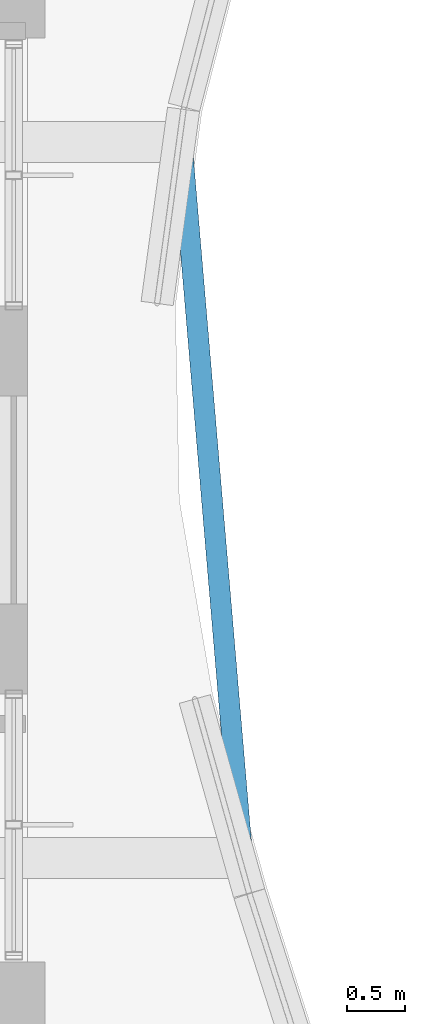
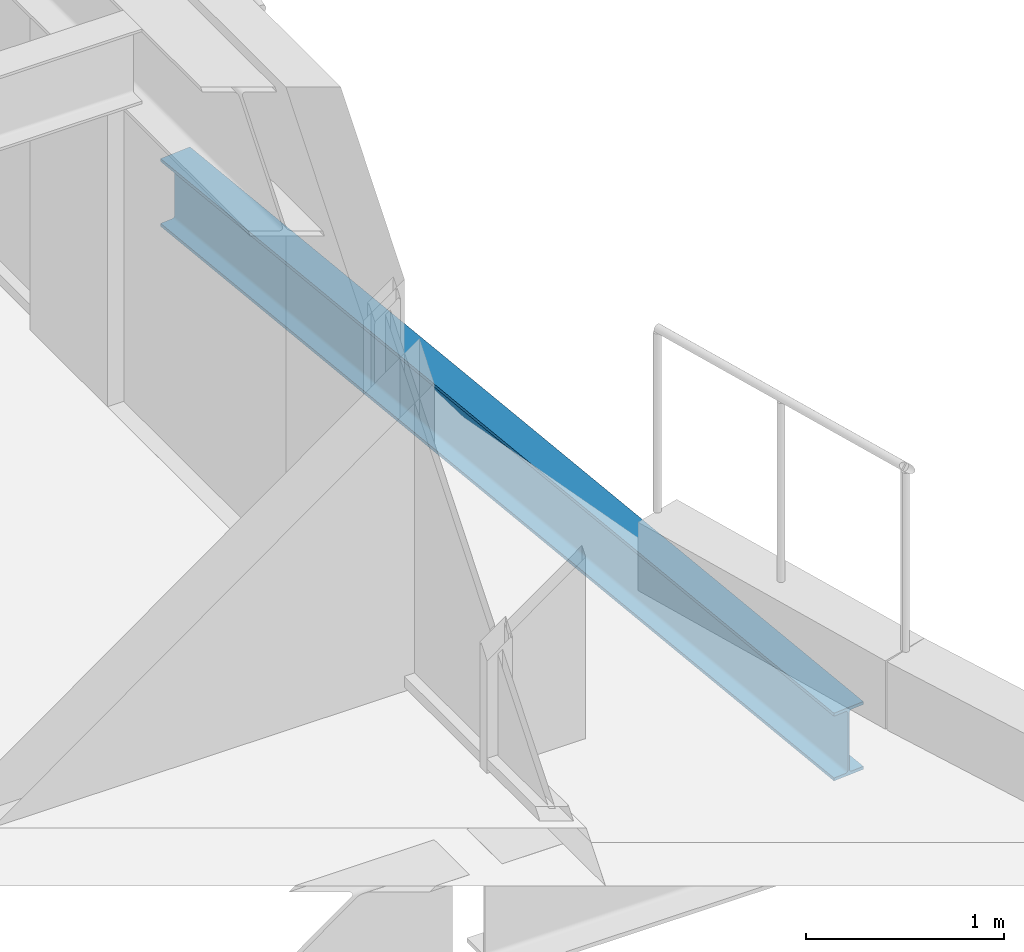
# One storey, part 18 of 39: 1 beam.
"""IFC4 building model written with IfcOpenShell, lengths in metres."""

from ifc_helpers import new_model, si_unit, direction, frame, origin, origin_2d, place, context, subcontext, project, spatial, i_section, extrude, material, material_profile, profile_set, type_object, element, save


model = new_model("IFC4")

# Units and contexts
model_context = context("Model", 3, precision=1e-05, world=origin(), true_north=direction((0.0, 1.0)))
body_context = subcontext(model_context, "Body", "Model", "MODEL_VIEW")
ifc_project = project(units=[si_unit("LENGTHUNIT", "METRE"), si_unit("AREAUNIT", "SQUARE_METRE"), si_unit("VOLUMEUNIT", "CUBIC_METRE"), si_unit("PLANEANGLEUNIT", "RADIAN"), si_unit("MASSUNIT", "GRAM", prefix="KILO")], contexts=[model_context])

# Site, building, storey
site_placement = place(None, origin())
site = spatial("IfcSite", under=ifc_project, at=site_placement, CompositionType="ELEMENT")
building_placement = place(site_placement, origin())
building = spatial("IfcBuilding", under=site, at=building_placement, Name="Kolvaren Belvedere", CompositionType="ELEMENT")
storey_placement = place(building_placement, frame((0.0, 0.0, 33.699951171875)))
storey = spatial("IfcBuildingStorey", under=building, at=storey_placement, Name="L09", CompositionType="ELEMENT", Elevation=33.699951171875)

# Beam
ifc_material = material(Name="Structural steel ASTM A992 Grade 50", Category="steel")
ifc_material_profile = material_profile(ifc_material, i_section(OverallWidth=0.180908203125, OverallDepth=0.4169921875, WebThickness=0.010986328125, FlangeThickness=0.018310546875, FilletRadius=0.013916015625, at=origin_2d()), Name="W16X57")
ifc_profile_set = profile_set([ifc_material_profile], Name="Structural steel ASTM A992 Grade 50")
beam_type = type_object("IfcBeamType", Name="BM-EDGE-W16X57", PredefinedType="BEAM", material=ifc_profile_set)
beam_placement = place(storey_placement, frame((23.8466796875, -2.96044921875, -0.448486328125), z_axis=(-0.084555084263, 0.996418806389, 0.0), x_axis=(-0.996418806389, -0.084555084263, 0.0)))
element("IfcBeam", 1, at=beam_placement, inside=storey, type_object=beam_type, Name="L09 Balcony Tip Header Beam BAL-E", PredefinedType="BEAM", context=body_context, shape_type="SweptSolid", body=[
    extrude(i_section(OverallWidth=0.180908203125, OverallDepth=0.4169921875, WebThickness=0.010986328125, FlangeThickness=0.018310546875, FilletRadius=0.013916015625, at=origin_2d()), origin(), (0.0, 0.0, 1.0), 5.942138671875),
])

save(model, "model.ifc")
